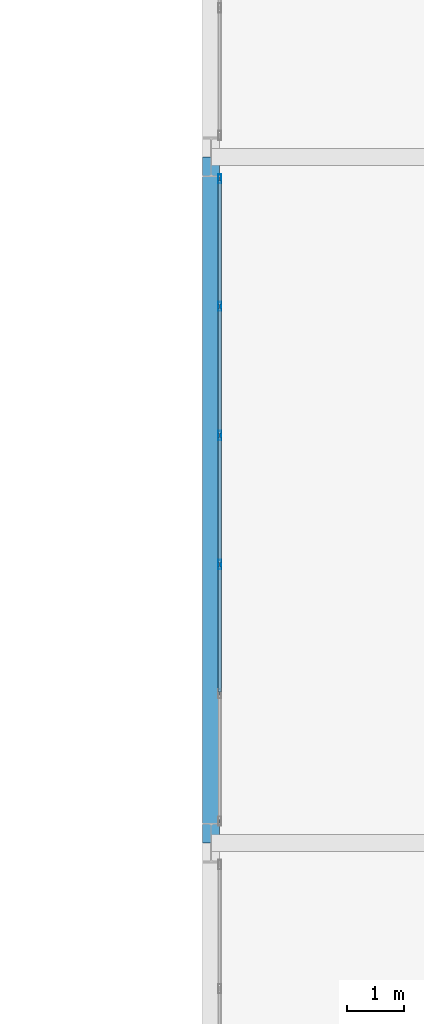
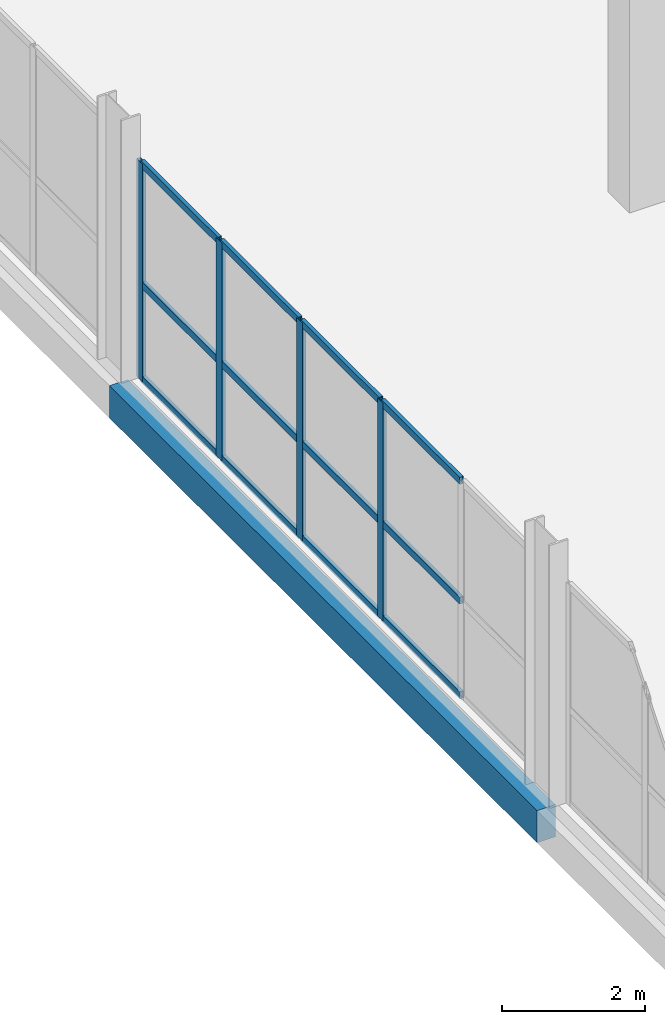
# One storey, part 46 of 113: 16 members, 1 beam, 1 element without a shape of its own.
"""IFC4 building model written with IfcOpenShell, lengths in metres."""

from ifc_helpers import new_model, si_unit, direction, frame, origin, origin_2d, place, context, subcontext, project, spatial, rectangle, hollow_rectangle, extrude, material, material_profile, profile_set, type_object, element, aggregate, save


model = new_model("IFC4")

# Units and contexts
model_context = context("Model", 3, precision=1e-05, world=origin(), true_north=direction((0.0, 1.0)))
body_context = subcontext(model_context, "Body", "Model", "MODEL_VIEW")
ifc_project = project(units=[si_unit("LENGTHUNIT", "METRE"), si_unit("AREAUNIT", "SQUARE_METRE"), si_unit("VOLUMEUNIT", "CUBIC_METRE"), si_unit("PLANEANGLEUNIT", "RADIAN"), si_unit("MASSUNIT", "GRAM", prefix="KILO")], contexts=[model_context])

# Site, building, storey
site_placement = place(None, origin())
site = spatial("IfcSite", under=ifc_project, at=site_placement, CompositionType="ELEMENT")
building_placement = place(site_placement, origin())
building = spatial("IfcBuilding", under=site, at=building_placement, Name="Veltarok Museum of Natural Sciences", CompositionType="ELEMENT")
storey_placement = place(building_placement, frame((0.0, 0.0, 8.39990234375)))
storey = spatial("IfcBuildingStorey", under=building, at=storey_placement, Name="L01", CompositionType="ELEMENT", Elevation=8.39990234375)

# Curtain wall, members
ifc_material_1 = material(Name="Low-iron triple insulated glass", Category="glass")
curtain_wall_type = type_object("IfcCurtainWallType", Name="Curtain Wall System CW-V5CW-L01-3-1130x373 (CW-V5CW L01 1130x373cm)", PredefinedType="NOTDEFINED", material=ifc_material_1)
curtain_wall_placement = place(storey_placement, origin())
curtain_wall = element("IfcCurtainWall", 1, at=curtain_wall_placement, inside=storey, type_object=curtain_wall_type, Name="Curtain Wall CW-V5CW-L01-3-1130x373 CW-0175", PredefinedType="NOTDEFINED")
ifc_material_2 = material(Name="Thermally broken anodised aluminium", Category="aluminium")
ifc_material_profile_1 = material_profile(ifc_material_2, hollow_rectangle(XDim=0.06005859375, YDim=0.1201171875, WallThickness=0.0048828125, at=origin_2d()), Name="CW TRANSOM 60x120x5")
ifc_profile_set_1 = profile_set([ifc_material_profile_1], Name="Thermally broken anodised aluminium")
member_type_1 = type_object("IfcMemberType", Name="Curtain Wall Horizontal Transom 60x120x5", PredefinedType="USERDEFINED", material=ifc_profile_set_1)
member_1_placement = place(storey_placement, frame((132.550048828125, 50.639892578125, 0.028076171875), z_axis=(0.0, 1.0, 0.0), x_axis=(-1.0, 0.0, 0.0)))
member_1 = element("IfcMember", 2, at=member_1_placement, type_object=member_type_1, Name="CW-V5CW-L01-3-1130x373 transom 2.1", ObjectType="TRANSOM", PredefinedType="USERDEFINED", context=body_context, shape_type="SweptSolid", body=[
    extrude(hollow_rectangle(XDim=0.06005859375, YDim=0.1201171875, WallThickness=0.0048828125, at=origin_2d()), origin(), (0.0, 0.0, 1.0), 2.2001953125),
])
member_2_placement = place(storey_placement, frame((132.550048828125, 50.639892578125, 1.648193359375), z_axis=(0.0, 1.0, 0.0), x_axis=(-1.0, 0.0, 0.0)))
member_2 = element("IfcMember", 3, at=member_2_placement, type_object=member_type_1, Name="CW-V5CW-L01-3-1130x373 transom 2.2", ObjectType="TRANSOM", PredefinedType="USERDEFINED", context=body_context, shape_type="SweptSolid", body=[
    extrude(hollow_rectangle(XDim=0.06005859375, YDim=0.1201171875, WallThickness=0.0048828125, at=origin_2d()), origin(), (0.0, 0.0, 1.0), 2.2001953125),
])
member_3_placement = place(storey_placement, frame((132.550048828125, 50.639892578125, 3.7001953125), z_axis=(0.0, 1.0, 0.0), x_axis=(-1.0, 0.0, 0.0)))
member_3 = element("IfcMember", 4, at=member_3_placement, type_object=member_type_1, Name="CW-V5CW-L01-3-1130x373 transom 2.3", ObjectType="TRANSOM", PredefinedType="USERDEFINED", context=body_context, shape_type="SweptSolid", body=[
    extrude(hollow_rectangle(XDim=0.06005859375, YDim=0.1201171875, WallThickness=0.0048828125, at=origin_2d()), origin(), (0.0, 0.0, 1.0), 2.2001953125),
])
member_4_placement = place(storey_placement, frame((132.550048828125, 52.89990234375, 0.028076171875), z_axis=(0.0, 1.0, 0.0), x_axis=(-1.0, 0.0, 0.0)))
member_4 = element("IfcMember", 5, at=member_4_placement, type_object=member_type_1, Name="CW-V5CW-L01-3-1130x373 transom 3.1", ObjectType="TRANSOM", PredefinedType="USERDEFINED", context=body_context, shape_type="SweptSolid", body=[
    extrude(hollow_rectangle(XDim=0.06005859375, YDim=0.1201171875, WallThickness=0.0048828125, at=origin_2d()), origin(), (0.0, 0.0, 1.0), 2.2001953125),
])
member_5_placement = place(storey_placement, frame((132.550048828125, 52.89990234375, 1.648193359375), z_axis=(0.0, 1.0, 0.0), x_axis=(-1.0, 0.0, 0.0)))
member_5 = element("IfcMember", 6, at=member_5_placement, type_object=member_type_1, Name="CW-V5CW-L01-3-1130x373 transom 3.2", ObjectType="TRANSOM", PredefinedType="USERDEFINED", context=body_context, shape_type="SweptSolid", body=[
    extrude(hollow_rectangle(XDim=0.06005859375, YDim=0.1201171875, WallThickness=0.0048828125, at=origin_2d()), origin(), (0.0, 0.0, 1.0), 2.2001953125),
])
member_6_placement = place(storey_placement, frame((132.550048828125, 52.89990234375, 3.7001953125), z_axis=(0.0, 1.0, 0.0), x_axis=(-1.0, 0.0, 0.0)))
member_6 = element("IfcMember", 7, at=member_6_placement, type_object=member_type_1, Name="CW-V5CW-L01-3-1130x373 transom 3.3", ObjectType="TRANSOM", PredefinedType="USERDEFINED", context=body_context, shape_type="SweptSolid", body=[
    extrude(hollow_rectangle(XDim=0.06005859375, YDim=0.1201171875, WallThickness=0.0048828125, at=origin_2d()), origin(), (0.0, 0.0, 1.0), 2.2001953125),
])
member_7_placement = place(storey_placement, frame((132.550048828125, 55.159912109375, 0.028076171875), z_axis=(0.0, 1.0, 0.0), x_axis=(-1.0, 0.0, 0.0)))
member_7 = element("IfcMember", 8, at=member_7_placement, type_object=member_type_1, Name="CW-V5CW-L01-3-1130x373 transom 4.1", ObjectType="TRANSOM", PredefinedType="USERDEFINED", context=body_context, shape_type="SweptSolid", body=[
    extrude(hollow_rectangle(XDim=0.06005859375, YDim=0.1201171875, WallThickness=0.0048828125, at=origin_2d()), origin(), (0.0, 0.0, 1.0), 2.2001953125),
])
member_8_placement = place(storey_placement, frame((132.550048828125, 55.159912109375, 1.648193359375), z_axis=(0.0, 1.0, 0.0), x_axis=(-1.0, 0.0, 0.0)))
member_8 = element("IfcMember", 9, at=member_8_placement, type_object=member_type_1, Name="CW-V5CW-L01-3-1130x373 transom 4.2", ObjectType="TRANSOM", PredefinedType="USERDEFINED", context=body_context, shape_type="SweptSolid", body=[
    extrude(hollow_rectangle(XDim=0.06005859375, YDim=0.1201171875, WallThickness=0.0048828125, at=origin_2d()), origin(), (0.0, 0.0, 1.0), 2.2001953125),
])
member_9_placement = place(storey_placement, frame((132.550048828125, 55.159912109375, 3.7001953125), z_axis=(0.0, 1.0, 0.0), x_axis=(-1.0, 0.0, 0.0)))
member_9 = element("IfcMember", 10, at=member_9_placement, type_object=member_type_1, Name="CW-V5CW-L01-3-1130x373 transom 4.3", ObjectType="TRANSOM", PredefinedType="USERDEFINED", context=body_context, shape_type="SweptSolid", body=[
    extrude(hollow_rectangle(XDim=0.06005859375, YDim=0.1201171875, WallThickness=0.0048828125, at=origin_2d()), origin(), (0.0, 0.0, 1.0), 2.2001953125),
])
member_10_placement = place(storey_placement, frame((132.550048828125, 57.419921875, 0.028076171875), z_axis=(0.0, 1.0, 0.0), x_axis=(-1.0, 0.0, 0.0)))
member_10 = element("IfcMember", 11, at=member_10_placement, type_object=member_type_1, Name="CW-V5CW-L01-3-1130x373 transom 5.1", ObjectType="TRANSOM", PredefinedType="USERDEFINED", context=body_context, shape_type="SweptSolid", body=[
    extrude(hollow_rectangle(XDim=0.06005859375, YDim=0.1201171875, WallThickness=0.0048828125, at=origin_2d()), origin(), (0.0, 0.0, 1.0), 2.170166015625),
])
member_11_placement = place(storey_placement, frame((132.550048828125, 57.419921875, 1.648193359375), z_axis=(0.0, 1.0, 0.0), x_axis=(-1.0, 0.0, 0.0)))
member_11 = element("IfcMember", 12, at=member_11_placement, type_object=member_type_1, Name="CW-V5CW-L01-3-1130x373 transom 5.2", ObjectType="TRANSOM", PredefinedType="USERDEFINED", context=body_context, shape_type="SweptSolid", body=[
    extrude(hollow_rectangle(XDim=0.06005859375, YDim=0.1201171875, WallThickness=0.0048828125, at=origin_2d()), origin(), (0.0, 0.0, 1.0), 2.170166015625),
])
member_12_placement = place(storey_placement, frame((132.550048828125, 57.419921875, 3.7001953125), z_axis=(0.0, 1.0, 0.0), x_axis=(-1.0, 0.0, 0.0)))
member_12 = element("IfcMember", 13, at=member_12_placement, type_object=member_type_1, Name="CW-V5CW-L01-3-1130x373 transom 5.3", ObjectType="TRANSOM", PredefinedType="USERDEFINED", context=body_context, shape_type="SweptSolid", body=[
    extrude(hollow_rectangle(XDim=0.06005859375, YDim=0.1201171875, WallThickness=0.0048828125, at=origin_2d()), origin(), (0.0, 0.0, 1.0), 2.170166015625),
])
ifc_material_profile_2 = material_profile(ifc_material_2, hollow_rectangle(XDim=0.06005859375, YDim=0.159912109375, WallThickness=0.0048828125, at=origin_2d()), Name="CW MULLION 60x160x5")
ifc_profile_set_2 = profile_set([ifc_material_profile_2], Name="Thermally broken anodised aluminium")
member_type_2 = type_object("IfcMemberType", Name="Curtain Wall Vertical Mullion 60x160x5", PredefinedType="MULLION", material=ifc_profile_set_2)
member_13_placement = place(storey_placement, frame((132.550048828125, 52.8701171875, -0.001953125), z_axis=(0.0, 0.0, 1.0), x_axis=(-1.0, 0.0, 0.0)))
member_13 = element("IfcMember", 14, at=member_13_placement, type_object=member_type_2, Name="CW-V5CW-L01-3-1130x373 mullion 3", PredefinedType="MULLION", context=body_context, shape_type="SweptSolid", body=[
    extrude(hollow_rectangle(XDim=0.06005859375, YDim=0.159912109375, WallThickness=0.0048828125, at=origin_2d()), origin(), (0.0, 0.0, 1.0), 3.73193359375),
])
member_14_placement = place(storey_placement, frame((132.550048828125, 55.1298828125, -0.001953125), z_axis=(0.0, 0.0, 1.0), x_axis=(-1.0, 0.0, 0.0)))
member_14 = element("IfcMember", 15, at=member_14_placement, type_object=member_type_2, Name="CW-V5CW-L01-3-1130x373 mullion 4", PredefinedType="MULLION", context=body_context, shape_type="SweptSolid", body=[
    extrude(hollow_rectangle(XDim=0.06005859375, YDim=0.159912109375, WallThickness=0.0048828125, at=origin_2d()), origin(), (0.0, 0.0, 1.0), 3.73193359375),
])
member_15_placement = place(storey_placement, frame((132.550048828125, 57.389892578125, -0.001953125), z_axis=(0.0, 0.0, 1.0), x_axis=(-1.0, 0.0, 0.0)))
member_15 = element("IfcMember", 16, at=member_15_placement, type_object=member_type_2, Name="CW-V5CW-L01-3-1130x373 mullion 5", PredefinedType="MULLION", context=body_context, shape_type="SweptSolid", body=[
    extrude(hollow_rectangle(XDim=0.06005859375, YDim=0.159912109375, WallThickness=0.0048828125, at=origin_2d()), origin(), (0.0, 0.0, 1.0), 3.73193359375),
])
member_16_placement = place(storey_placement, frame((132.550048828125, 59.6201171875, -0.001953125), z_axis=(0.0, 0.0, 1.0), x_axis=(-1.0, 0.0, 0.0)))
member_16 = element("IfcMember", 17, at=member_16_placement, type_object=member_type_2, Name="CW-V5CW-L01-3-1130x373 mullion 6", PredefinedType="MULLION", context=body_context, shape_type="SweptSolid", body=[
    extrude(hollow_rectangle(XDim=0.06005859375, YDim=0.159912109375, WallThickness=0.0048828125, at=origin_2d()), origin(), (0.0, 0.0, 1.0), 3.73193359375),
])
aggregate(curtain_wall, [member_13, member_14, member_15, member_16, member_1, member_2, member_3, member_4, member_5, member_6, member_7, member_8, member_9, member_10, member_11, member_12])

# Beam
ifc_material_3 = material(Name="Precast concrete C40/50", Category="concrete")
ifc_material_profile_3 = material_profile(ifc_material_3, rectangle(XDim=0.300048828125, YDim=0.550048828125, at=origin_2d()), Name="RC 300x550")
ifc_profile_set_3 = profile_set([ifc_material_profile_3], Name="Precast concrete C40/50")
beam_type = type_object("IfcBeamType", Name="East Wing Precast Spandrel RC 300x550", PredefinedType="SPANDREL", material=ifc_profile_set_3)
beam_placement = place(storey_placement, frame((132.39990234375, 48.0, -0.52490234375), z_axis=(0.0, 1.0, 0.0), x_axis=(-1.0, 0.0, 0.0)))
element("IfcBeam", 18, at=beam_placement, inside=storey, type_object=beam_type, Name="Beam BM-SP02 L01 16/F-G", PredefinedType="SPANDREL", context=body_context, shape_type="SweptSolid", body=[
    extrude(rectangle(XDim=0.300048828125, YDim=0.550048828125, at=origin_2d()), origin(), (0.0, 0.0, 1.0), 12.0),
])

save(model, "model.ifc")
